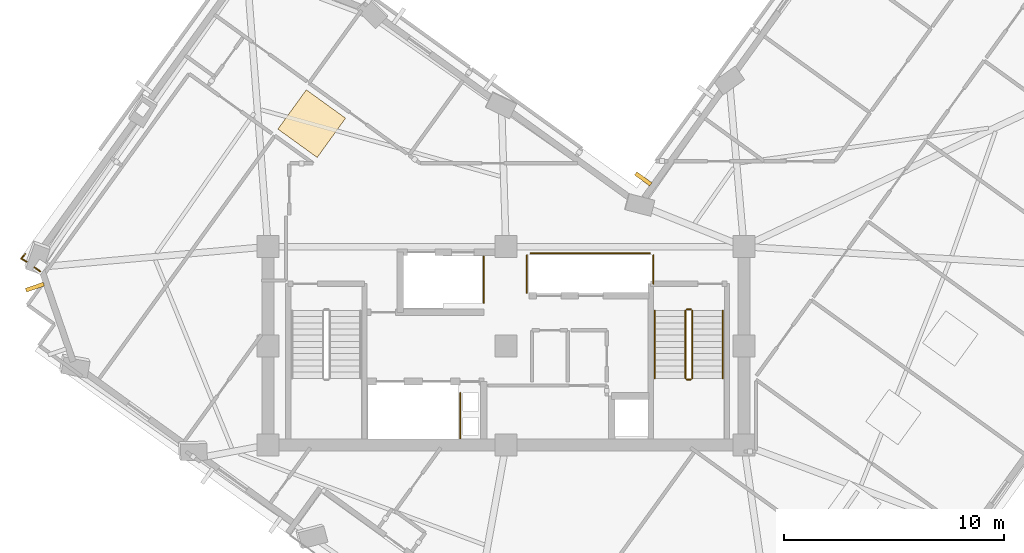
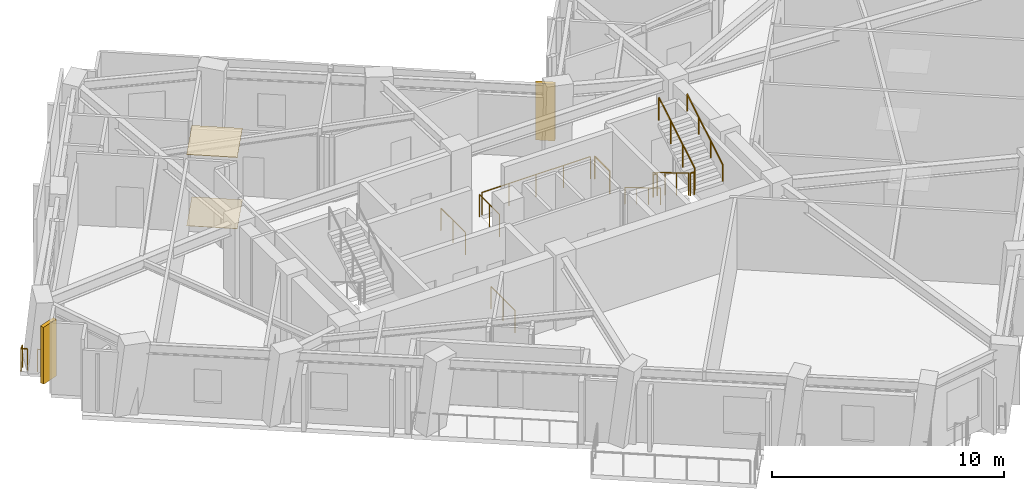
# One storey, part 10 of 13: 13 railings, 2 coverings, 2 shading devices.
"""IFC4 building model written with IfcOpenShell, lengths in metres."""

from ifc_helpers import new_model, si_unit, direction, frame, origin, origin_2d, place, context, subcontext, project, spatial, rectangle, circle, extrude, material, layer, layer_set, type_object, element, save


model = new_model("IFC4")

# Units and contexts
model_context = context("Model", 3, precision=1e-05, world=origin(), true_north=direction((0.0, 1.0)))
body_context = subcontext(model_context, "Body", "Model", "MODEL_VIEW")
ifc_project = project(units=[si_unit("LENGTHUNIT", "METRE"), si_unit("AREAUNIT", "SQUARE_METRE"), si_unit("VOLUMEUNIT", "CUBIC_METRE"), si_unit("PLANEANGLEUNIT", "RADIAN"), si_unit("MASSUNIT", "GRAM", prefix="KILO")], contexts=[model_context])

# Site, building, storey
site_placement = place(None, origin())
site = spatial("IfcSite", under=ifc_project, at=site_placement, CompositionType="ELEMENT")
building_placement = place(site_placement, origin())
building = spatial("IfcBuilding", under=site, at=building_placement, Name="Gaonmaruhae Medical Tower", CompositionType="ELEMENT")
storey_placement = place(building_placement, frame((0.0, 0.0, 255.199951171875)))
storey = spatial("IfcBuildingStorey", under=building, at=storey_placement, Name="L61", CompositionType="ELEMENT", Elevation=255.199951171875)

# Coverings
ifc_material_1 = material(Name="Acoustic mineral ceiling tile", Category="finish")
ifc_layer_1 = layer(ifc_material_1, 0.02490234375)
ifc_layer_set_1 = layer_set([ifc_layer_1], Name="Acoustic mineral ceiling tile")
covering_type_1 = type_object("IfcCoveringType", Name="CLG-01 Antimicrobial Acoustic Mineral Ceiling", PredefinedType="CEILING", material=ifc_layer_set_1)
covering_1_placement = place(storey_placement, frame((15.98779296875, 22.381591796875, 3.755126953125), z_axis=(0.0, 0.0, 1.0), x_axis=(0.585665238866, 0.810553038353, 0.0)))
element("IfcCovering", 1, at=covering_1_placement, inside=storey, type_object=covering_type_1, Name="L61 Clinical Corridor Acoustic Ceiling", PredefinedType="CEILING", context=body_context, shape_type="SweptSolid", body=[
    extrude(rectangle(XDim=2.199951171875, YDim=2.199951171875, at=origin_2d()), origin(), (0.0, 0.0, 1.0), 0.02490234375),
])
ifc_material_2 = material(Name="Seamless clinical vinyl flooring", Category="finish")
ifc_layer_2 = layer(ifc_material_2, 0.014892578125)
ifc_layer_set_2 = layer_set([ifc_layer_2], Name="Seamless clinical vinyl flooring")
covering_type_2 = type_object("IfcCoveringType", Name="FLR-01 Seamless Clinical Antistatic Vinyl Flooring", PredefinedType="FLOORING", material=ifc_layer_set_2)
covering_2_placement = place(storey_placement, frame((15.98779296875, 22.381591796875, 0.00048828125), z_axis=(0.0, 0.0, 1.0), x_axis=(0.585665238866, 0.810553038353, 0.0)))
element("IfcCovering", 2, at=covering_2_placement, inside=storey, type_object=covering_type_2, Name="L61 Clinical Corridor Vinyl Flooring", PredefinedType="FLOORING", context=body_context, shape_type="SweptSolid", body=[
    extrude(rectangle(XDim=2.199951171875, YDim=2.199951171875, at=origin_2d()), origin(), (0.0, 0.0, 1.0), 0.014892578125),
])

# Railings
ifc_material_3 = material(Name="Stainless steel 316L and laminated safety glass", Category="steel")
ifc_layer_3 = layer(ifc_material_3, 0.080078125)
ifc_layer_set_3 = layer_set([ifc_layer_3], Name="Stainless steel 316L and laminated safety glass")
railing_type_1 = type_object("IfcRailingType", Name="GD-120 Outdoor Terrace Safety Glass & Steel Balustrade", PredefinedType="BALUSTRADE", material=ifc_layer_set_3)
railing_1_placement = place(storey_placement, frame((3.663818359375, 15.673583984375, 0.0)))
element("IfcRailing", 3, at=railing_1_placement, inside=storey, type_object=railing_type_1, Name="L61 Perimeter Slab Edge Safety Balustrade 01", PredefinedType="BALUSTRADE", context=body_context, shape_type="SweptSolid", body=[
    extrude(circle(Radius=0.02392578125, at=origin_2d()), frame((0.0, 0.0, 1.17578125), z_axis=(-0.810541313656, 0.585681465352, 0.0), x_axis=(-0.585681465352, -0.810541313656, 0.0)), (0.0, 0.0, 1.0), 0.326904296875),
    extrude(circle(Radius=0.02099609375, at=origin_2d()), origin(), (0.0, 0.0, 1.0), 1.15185546875),
    extrude(circle(Radius=0.02099609375, at=origin_2d()), frame((-0.264892578125, 0.19140625, 0.0)), (0.0, 0.0, 1.0), 1.15185546875),
])
railing_2_placement = place(storey_placement, frame((3.047607421875, 16.118896484375, 0.0)))
element("IfcRailing", 4, at=railing_2_placement, inside=storey, type_object=railing_type_1, Name="L61 Perimeter Corner Safety Balustrade 17", PredefinedType="BALUSTRADE", context=body_context, shape_type="SweptSolid", body=[
    extrude(circle(Radius=0.02392578125, at=origin_2d()), frame((0.0, 0.0, 1.17578125), z_axis=(-0.876036275348, 0.482245211769, 0.0), x_axis=(-0.482245211769, -0.876036275348, 0.0)), (0.0, 0.0, 1.0), 0.287109375),
    extrude(circle(Radius=0.02392578125, at=origin_2d()), frame((-0.25146484375, 0.138427734375, 1.17578125), z_axis=(0.679831557758, 0.733368292931, 0.0), x_axis=(-0.733368292931, 0.679831557758, 0.0)), (0.0, 0.0, 1.0), 0.287353515625),
    extrude(circle(Radius=0.02099609375, at=origin_2d()), origin(), (0.0, 0.0, 1.0), 1.15185546875),
    extrude(circle(Radius=0.02099609375, at=origin_2d()), frame((-0.25146484375, 0.138427734375, 0.0)), (0.0, 0.0, 1.0), 1.15185546875),
    extrude(circle(Radius=0.02099609375, at=origin_2d()), frame((-0.05615234375, 0.34912109375, 0.0)), (0.0, 0.0, 1.0), 1.15185546875),
])
ifc_material_4 = material(Name="Stainless steel 304 handrail", Category="steel")
railing_type_2 = type_object("IfcRailingType", Name="HR-092 Continuous Stainless Steel Stair Handrail", PredefinedType="HANDRAIL", material=ifc_material_4)
railing_3_placement = place(storey_placement, frame((31.550048828125, 13.89990234375, 0.166748046875)))
element("IfcRailing", 5, at=railing_3_placement, inside=storey, type_object=railing_type_2, Name="L61 ST-02 stair handrail 1", PredefinedType="HANDRAIL", context=body_context, shape_type="SweptSolid", body=[
    extrude(circle(Radius=0.02392578125, at=origin_2d()), frame((0.0, 0.0, 0.8759765625), z_axis=(0.0, -0.859290745958, 0.51148745235), x_axis=(1.0, 0.0, 0.0)), (0.0, 0.0, 1.0), 3.584228515625),
    extrude(circle(Radius=0.02099609375, at=origin_2d()), origin(), (0.0, 0.0, 1.0), 0.851806640625),
    extrude(circle(Radius=0.02099609375, at=origin_2d()), frame((0.0, -1.026611328125, 0.611083984375)), (0.0, 0.0, 1.0), 0.851806640625),
    extrude(circle(Radius=0.02099609375, at=origin_2d()), frame((0.0, -2.05322265625, 1.22216796875)), (0.0, 0.0, 1.0), 0.851806640625),
    extrude(circle(Radius=0.02099609375, at=origin_2d()), frame((0.0, -3.079833984375, 1.833251953125)), (0.0, 0.0, 1.0), 0.851806640625),
])
railing_4_placement = place(storey_placement, frame((34.64990234375, 10.820068359375, 2.166748046875)))
element("IfcRailing", 6, at=railing_4_placement, inside=storey, type_object=railing_type_2, Name="L61 ST-02 stair handrail 2", PredefinedType="HANDRAIL", context=body_context, shape_type="SweptSolid", body=[
    extrude(circle(Radius=0.02392578125, at=origin_2d()), frame((0.0, 0.0, 0.8759765625), z_axis=(0.0, 0.859290745958, 0.51148745235), x_axis=(-1.0, 0.0, 0.0)), (0.0, 0.0, 1.0), 3.584228515625),
    extrude(circle(Radius=0.02099609375, at=origin_2d()), origin(), (0.0, 0.0, 1.0), 0.851806640625),
    extrude(circle(Radius=0.02099609375, at=origin_2d()), frame((0.0, 1.026611328125, 0.611083984375)), (0.0, 0.0, 1.0), 0.851806640625),
    extrude(circle(Radius=0.02099609375, at=origin_2d()), frame((0.0, 2.05322265625, 1.22216796875)), (0.0, 0.0, 1.0), 0.851806640625),
    extrude(circle(Radius=0.02099609375, at=origin_2d()), frame((0.0, 3.079833984375, 1.833251953125)), (0.0, 0.0, 1.0), 0.851806640625),
])

# Shading devices
ifc_material_5 = material(Name="Pigmented coral precast concrete C45/55", Category="concrete")
shading_device_type = type_object("IfcShadingDeviceType", Name="SD-FIN1 Tower Vertical Coral Precast Shading Fin", PredefinedType="USERDEFINED", material=ifc_material_5)
for number, where, z_axis, x_axis, name in (
    (7, (31.034423828125, 19.875, 0.132568359375), (0.0, 0.0, 1.0), (0.585665238866, 0.810553038353, 0.0), "L61 Vertical Coral Precast Shading Fin EN02"),
    (8, (3.423583984375, 14.9609375, 0.132568359375), (0.0, 0.0, 1.0), (-0.324445761396, 0.945904301667, 0.0), "L61 Vertical Coral Precast Shading Fin N03B"),
):
    element("IfcShadingDevice", number, at=place(storey_placement, frame(where, z_axis=z_axis, x_axis=x_axis)), inside=storey, type_object=shading_device_type, Name=name, ObjectType="FIN", PredefinedType="USERDEFINED", context=body_context, shape_type="SweptSolid", body=[
        extrude(rectangle(XDim=0.179931640625, YDim=0.85009765625, at=origin_2d()), origin(), (0.0, 0.0, 1.0), 3.0),
    ])

# Railings
ifc_material_6 = material(Name="Stainless steel 304 balustrade", Category="steel")
railing_type_3 = type_object("IfcRailingType", Name="SG-112 Stair Well & Ramp Void Safety Balustrade", PredefinedType="BALUSTRADE", material=ifc_material_6)
railing_5_placement = place(storey_placement, frame((32.949951171875, 13.89990234375, 0.166748046875)))
element("IfcRailing", 9, at=railing_5_placement, inside=storey, type_object=railing_type_3, Name="L61 ST-02 stair guard 1", PredefinedType="BALUSTRADE", context=body_context, shape_type="SweptSolid", body=[
    extrude(circle(Radius=0.02392578125, at=origin_2d()), frame((0.0, 0.0, 1.17578125), z_axis=(0.0, -0.859290745958, 0.51148745235), x_axis=(1.0, 0.0, 0.0)), (0.0, 0.0, 1.0), 3.584228515625),
    extrude(circle(Radius=0.02099609375, at=origin_2d()), origin(), (0.0, 0.0, 1.0), 1.15185546875),
    extrude(circle(Radius=0.02099609375, at=origin_2d()), frame((0.0, -1.026611328125, 0.611083984375)), (0.0, 0.0, 1.0), 1.15185546875),
    extrude(circle(Radius=0.02099609375, at=origin_2d()), frame((0.0, -2.05322265625, 1.22216796875)), (0.0, 0.0, 1.0), 1.15185546875),
    extrude(circle(Radius=0.02099609375, at=origin_2d()), frame((0.0, -3.079833984375, 1.833251953125)), (0.0, 0.0, 1.0), 1.15185546875),
])
railing_6_placement = place(storey_placement, frame((33.0, 10.77001953125, 2.0)))
element("IfcRailing", 10, at=railing_6_placement, inside=storey, type_object=railing_type_3, Name="L61 ST-02 stair guard 2", PredefinedType="BALUSTRADE", context=body_context, shape_type="SweptSolid", body=[
    extrude(circle(Radius=0.02392578125, at=origin_2d()), frame((0.0, 0.0, 1.17578125), z_axis=(1.0, 0.0, 0.0), x_axis=(0.0, 1.0, 0.0)), (0.0, 0.0, 1.0), 0.199951171875),
    extrude(circle(Radius=0.02099609375, at=origin_2d()), origin(), (0.0, 0.0, 1.0), 1.15185546875),
    extrude(circle(Radius=0.02099609375, at=origin_2d()), frame((0.199951171875, 0.0, 0.0)), (0.0, 0.0, 1.0), 1.15185546875),
])
railing_7_placement = place(storey_placement, frame((33.25, 10.820068359375, 2.166748046875)))
element("IfcRailing", 11, at=railing_7_placement, inside=storey, type_object=railing_type_3, Name="L61 ST-02 stair guard 3", PredefinedType="BALUSTRADE", context=body_context, shape_type="SweptSolid", body=[
    extrude(circle(Radius=0.02392578125, at=origin_2d()), frame((0.0, 0.0, 1.17578125), z_axis=(0.0, 0.859290745958, 0.51148745235), x_axis=(-1.0, 0.0, 0.0)), (0.0, 0.0, 1.0), 3.584228515625),
    extrude(circle(Radius=0.02099609375, at=origin_2d()), origin(), (0.0, 0.0, 1.0), 1.15185546875),
    extrude(circle(Radius=0.02099609375, at=origin_2d()), frame((0.0, 1.026611328125, 0.611083984375)), (0.0, 0.0, 1.0), 1.15185546875),
    extrude(circle(Radius=0.02099609375, at=origin_2d()), frame((0.0, 2.05322265625, 1.22216796875)), (0.0, 0.0, 1.0), 1.15185546875),
    extrude(circle(Radius=0.02099609375, at=origin_2d()), frame((0.0, 3.079833984375, 1.833251953125)), (0.0, 0.0, 1.0), 1.15185546875),
])
railing_8_placement = place(storey_placement, frame((33.0, 13.949951171875, 0.0)))
element("IfcRailing", 12, at=railing_8_placement, inside=storey, type_object=railing_type_3, Name="L61 ST-02 stair guard 4", PredefinedType="BALUSTRADE", context=body_context, shape_type="SweptSolid", body=[
    extrude(circle(Radius=0.02392578125, at=origin_2d()), frame((0.0, 0.0, 1.17578125), z_axis=(1.0, 0.0, 0.0), x_axis=(0.0, 1.0, 0.0)), (0.0, 0.0, 1.0), 0.199951171875),
    extrude(circle(Radius=0.02099609375, at=origin_2d()), origin(), (0.0, 0.0, 1.0), 1.15185546875),
    extrude(circle(Radius=0.02099609375, at=origin_2d()), frame((0.199951171875, 0.0, 0.0)), (0.0, 0.0, 1.0), 1.15185546875),
])
railing_9_placement = place(storey_placement, frame((22.719970703125, 10.159912109375, 0.0)))
element("IfcRailing", 13, at=railing_9_placement, inside=storey, type_object=railing_type_3, Name="L61 Shaft Edge Safety Guard 20", PredefinedType="BALUSTRADE", context=body_context, shape_type="SweptSolid", body=[
    extrude(circle(Radius=0.02392578125, at=origin_2d()), frame((0.0, 0.0, 1.17578125), z_axis=(0.0, -1.0, 0.0), x_axis=(1.0, 0.0, 0.0)), (0.0, 0.0, 1.0), 2.06494140625),
    extrude(circle(Radius=0.02099609375, at=origin_2d()), origin(), (0.0, 0.0, 1.0), 1.15185546875),
    extrude(circle(Radius=0.02099609375, at=origin_2d()), frame((0.0, -1.032470703125, 0.0)), (0.0, 0.0, 1.0), 1.15185546875),
    extrude(circle(Radius=0.02099609375, at=origin_2d()), frame((0.0, -2.06494140625, 0.0)), (0.0, 0.0, 1.0), 1.15185546875),
])
railing_10_placement = place(storey_placement, frame((23.794921875, 16.35498046875, 0.0)))
element("IfcRailing", 14, at=railing_10_placement, inside=storey, type_object=railing_type_3, Name="L61 Shaft Edge Safety Guard 21", PredefinedType="BALUSTRADE", context=body_context, shape_type="SweptSolid", body=[
    extrude(circle(Radius=0.02392578125, at=origin_2d()), frame((0.0, 0.0, 1.17578125), z_axis=(0.0, -1.0, 0.0), x_axis=(1.0, 0.0, 0.0)), (0.0, 0.0, 1.0), 2.10986328125),
    extrude(circle(Radius=0.02099609375, at=origin_2d()), origin(), (0.0, 0.0, 1.0), 1.15185546875),
    extrude(circle(Radius=0.02099609375, at=origin_2d()), frame((0.0, -1.054931640625, 0.0)), (0.0, 0.0, 1.0), 1.15185546875),
    extrude(circle(Radius=0.02099609375, at=origin_2d()), frame((0.0, -2.10986328125, 0.0)), (0.0, 0.0, 1.0), 1.15185546875),
])
railing_11_placement = place(storey_placement, frame((31.4951171875, 16.405029296875, 0.0)))
element("IfcRailing", 15, at=railing_11_placement, inside=storey, type_object=railing_type_3, Name="L61 Shaft Edge Safety Guard 22", PredefinedType="BALUSTRADE", context=body_context, shape_type="SweptSolid", body=[
    extrude(circle(Radius=0.02392578125, at=origin_2d()), frame((0.0, 0.0, 1.17578125), z_axis=(0.0, -1.0, 0.0), x_axis=(1.0, 0.0, 0.0)), (0.0, 0.0, 1.0), 1.284912109375),
    extrude(circle(Radius=0.02099609375, at=origin_2d()), origin(), (0.0, 0.0, 1.0), 1.15185546875),
    extrude(circle(Radius=0.02099609375, at=origin_2d()), frame((0.0, -1.284912109375, 0.0)), (0.0, 0.0, 1.0), 1.15185546875),
])
railing_12_placement = place(storey_placement, frame((25.7548828125, 14.695068359375, 0.0)))
element("IfcRailing", 16, at=railing_12_placement, inside=storey, type_object=railing_type_3, Name="L61 Shaft Edge Safety Guard 23", PredefinedType="BALUSTRADE", context=body_context, shape_type="SweptSolid", body=[
    extrude(circle(Radius=0.02392578125, at=origin_2d()), frame((0.0, 0.0, 1.17578125), z_axis=(0.0, 1.0, 0.0), x_axis=(-1.0, 0.0, 0.0)), (0.0, 0.0, 1.0), 1.7099609375),
    extrude(circle(Radius=0.02099609375, at=origin_2d()), origin(), (0.0, 0.0, 1.0), 1.15185546875),
    extrude(circle(Radius=0.02099609375, at=origin_2d()), frame((0.0, 0.85498046875, 0.0)), (0.0, 0.0, 1.0), 1.15185546875),
    extrude(circle(Radius=0.02099609375, at=origin_2d()), frame((0.0, 1.7099609375, 0.0)), (0.0, 0.0, 1.0), 1.15185546875),
])
railing_13_placement = place(storey_placement, frame((25.919921875, 16.4951171875, 0.0)))
element("IfcRailing", 17, at=railing_13_placement, inside=storey, type_object=railing_type_3, Name="L61 Shaft Edge Safety Guard 24", PredefinedType="BALUSTRADE", context=body_context, shape_type="SweptSolid", body=[
    extrude(circle(Radius=0.02392578125, at=origin_2d()), frame((0.0, 0.0, 1.17578125), z_axis=(1.0, 0.0, 0.0), x_axis=(0.0, 1.0, 0.0)), (0.0, 0.0, 1.0), 5.41015625),
    extrude(circle(Radius=0.02099609375, at=origin_2d()), origin(), (0.0, 0.0, 1.0), 1.15185546875),
    extrude(circle(Radius=0.02099609375, at=origin_2d()), frame((1.3525390625, 0.0, 0.0)), (0.0, 0.0, 1.0), 1.15185546875),
    extrude(circle(Radius=0.02099609375, at=origin_2d()), frame((2.705078125, 0.0, 0.0)), (0.0, 0.0, 1.0), 1.15185546875),
    extrude(circle(Radius=0.02099609375, at=origin_2d()), frame((4.0576171875, 0.0, 0.0)), (0.0, 0.0, 1.0), 1.15185546875),
    extrude(circle(Radius=0.02099609375, at=origin_2d()), frame((5.41015625, 0.0, 0.0)), (0.0, 0.0, 1.0), 1.15185546875),
])

save(model, "model.ifc")
